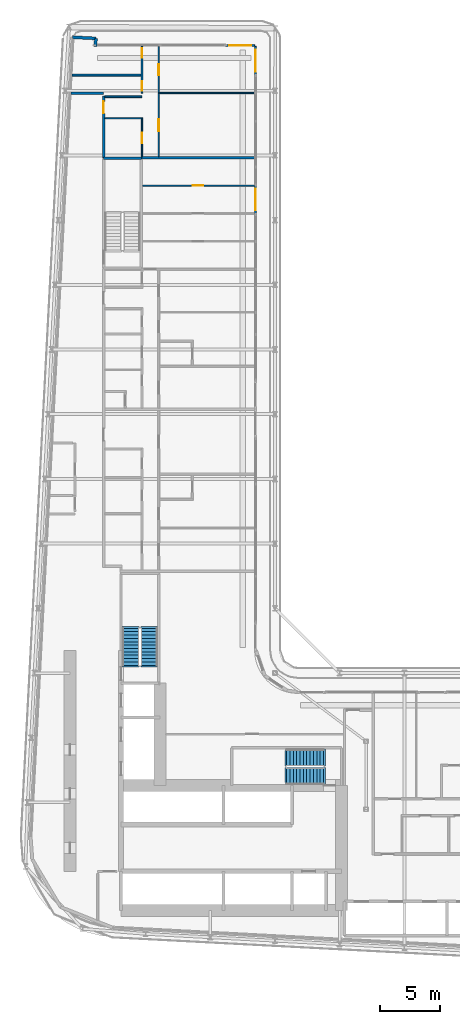
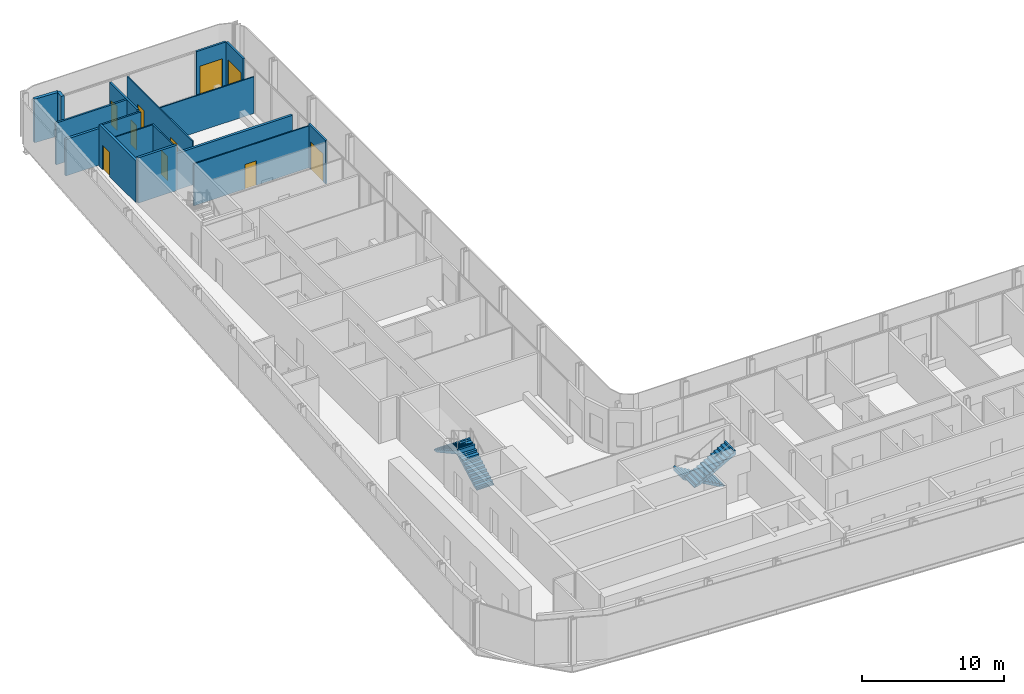
# One storey, part 19 of 27: 17 walls, 10 doors, 4 stair flights, 10 openings, 2 elements without a shape of their own.
"""IFC4 building model written with IfcOpenShell, lengths in metres."""

from ifc_helpers import new_model, si_unit, direction, frame, frame_2d, origin, place, context, subcontext, project, spatial, polyline, rectangle, outline, extrude, source, transform, mapped, material, layer, layer_set, type_object, element, fill, aggregate, save


model = new_model("IFC4")

# Units and contexts
model_context = context("Model", 3, precision=1e-05, world=origin(), true_north=direction((0.0, 1.0)))
body_context = subcontext(model_context, "Body", "Model", "MODEL_VIEW")
ifc_project = project(units=[si_unit("LENGTHUNIT", "METRE"), si_unit("AREAUNIT", "SQUARE_METRE"), si_unit("VOLUMEUNIT", "CUBIC_METRE"), si_unit("PLANEANGLEUNIT", "RADIAN"), si_unit("MASSUNIT", "GRAM", prefix="KILO")], contexts=[model_context])

# Site, building, storey
site_placement = place(None, origin())
site = spatial("IfcSite", under=ifc_project, at=site_placement, CompositionType="ELEMENT")
building_placement = place(site_placement, origin())
building = spatial("IfcBuilding", under=site, at=building_placement, Name="Kheshtan School and Residences Tower", CompositionType="ELEMENT")
storey_placement = place(building_placement, frame((0.0, 0.0, 57.800048828125)))
storey = spatial("IfcBuildingStorey", under=building, at=storey_placement, Name="L13", CompositionType="ELEMENT", Elevation=57.800048828125)

# Wall
ifc_material_1 = material(Name="Gypsum board on steel studs with fire boards", Category="steel")
ifc_layer_1 = layer(ifc_material_1, 0.199951171875)
ifc_layer_set_1 = layer_set([ifc_layer_1], Name="Corridor wall 200")
wall_type_1 = type_object("IfcWallType", Name="Corridor wall 200", PredefinedType="PARTITIONING", material=ifc_layer_set_1)
wall_1_placement = place(storey_placement, frame((30.584716796875, 94.0, 0.0), z_axis=(0.0, 0.0, 1.0), x_axis=(1.0, 0.0, 0.0)))
element("IfcWall", 1, at=wall_1_placement, inside=storey, type_object=wall_type_1, Name="Partition L13-002", PredefinedType="PARTITIONING", context=body_context, shape_type="SweptSolid", body=[
    extrude(rectangle(XDim=2.71533203125, YDim=0.199951171875, at=frame_2d((1.357666015625, 0.0))), origin(), (0.0, 0.0, 1.0), 3.14697265625),
])

# Wall, opening, door
wall_2_placement = place(storey_placement, frame((33.300048828125, 88.60009765625, 0.0), z_axis=(0.0, 0.0, 1.0), x_axis=(0.0, 1.0, 0.0)))
wall_2 = element("IfcWall", 2, at=wall_2_placement, inside=storey, type_object=wall_type_1, Name="Partition L13-004", PredefinedType="PARTITIONING", context=body_context, shape_type="SweptSolid", body=[
    extrude(rectangle(XDim=5.1748046875, YDim=0.199951171875, at=frame_2d((2.58740234375, 0.0))), origin(), (0.0, 0.0, 1.0), 3.599853515625),
])
opening_1_placement = place(wall_2_placement, frame((3.699951171875, 0.0, 0.0)))
opening_1 = element("IfcOpeningElement", 3, at=opening_1_placement, cuts=wall_2, Name="Opening D12-054", PredefinedType="OPENING", context=body_context, shape_type="SweptSolid", body=[
    extrude(rectangle(XDim=1.0, YDim=2.10009765625, at=frame_2d((0.5, 1.050048828125))), frame((0.0, 0.10986328125, 0.0), z_axis=(0.0, -1.0, 0.0), x_axis=(1.0, 0.0, 0.0)), (0.0, 0.0, 1.0), 0.219970703125),
])
ifc_material_2 = material(Name="Steel-framed fire-resisting door leaf", Category="steel")
door_type_1 = type_object("IfcDoorType", Name="Fire door FD30S 1000 x 2100", OperationType="SINGLE_SWING_LEFT", PredefinedType="DOOR", material=ifc_material_2)
shared_shape_1 = source(origin(), body_context, "Body", "SweptSolid", [
    extrude(rectangle(XDim=1.0, YDim=2.10009765625, at=frame_2d((0.5, 1.050048828125))), frame((0.0, 0.02490234375, 0.0), z_axis=(0.0, -1.0, 0.0), x_axis=(1.0, 0.0, 0.0)), (0.0, 0.0, 1.0), 0.050048828125),
])
door_1_placement = place(opening_1_placement, origin())
door_1 = element("IfcDoor", 4, at=door_1_placement, inside=storey, type_object=door_type_1, Name="Door D12-054", OperationType="SINGLE_SWING_RIGHT", OverallHeight=2.10009765625, OverallWidth=1.0, PredefinedType="DOOR", context=body_context, shape_type="MappedRepresentation", body=[
    mapped(shared_shape_1, transform((0.0, 0.0, 0.0), x_axis=(1.0, 0.0, 0.0), y_axis=(0.0, 1.0, 0.0), z_axis=(0.0, 0.0, 1.0), scale=1.0)),
])
fill(opening_1, door_1)

# Walls
ifc_material_3 = material(Name="Concrete C40/50 with ceramic cladding and mineral wool insulation", Category="concrete")
ifc_layer_2 = layer(ifc_material_3, 0.25)
ifc_layer_set_2 = layer_set([ifc_layer_2], Name="External wall 250 ceramic clad")
wall_type_2 = type_object("IfcWallType", Name="External wall 250 ceramic clad", PredefinedType="SOLIDWALL", material=ifc_layer_set_2)
wall_3_placement = place(storey_placement, frame((30.705078125, 98.6640625, 0.0), z_axis=(0.0, 0.0, 1.0), x_axis=(0.998577785791, -0.053314216913, 0.0)))
element("IfcWall", 5, at=wall_3_placement, inside=storey, type_object=wall_type_2, Name="External wall L13 5", PredefinedType="SOLIDWALL", context=body_context, shape_type="SweptSolid", body=[
    extrude(rectangle(XDim=1.95068359375, YDim=0.25, at=frame_2d((0.975341796875, 0.0))), origin(), (0.0, 0.0, 1.0), 3.75),
])
wall_4_placement = place(storey_placement, frame((32.653076171875, 98.56005859375, 0.0), z_axis=(0.0, 0.0, 1.0), x_axis=(-0.054093451632, -0.998535877418, 0.0)))
element("IfcWall", 6, at=wall_4_placement, inside=storey, type_object=wall_type_2, Name="External wall L13 6", PredefinedType="SOLIDWALL", context=body_context, shape_type="SweptSolid", body=[
    extrude(rectangle(XDim=0.66796875, YDim=0.25, at=frame_2d((0.333984375, 0.0))), origin(), (0.0, 0.0, 1.0), 3.75),
])

# Wall, opening, door
ifc_material_4 = material(Name="Aluminium frame wall with insulated infill", Category="aluminium")
ifc_layer_3 = layer(ifc_material_4, 0.14990234375)
ifc_layer_set_3 = layer_set([ifc_layer_3], Name="Glazing frame wall 150")
wall_type_3 = type_object("IfcWallType", Name="Glazing frame wall 150", PredefinedType="SOLIDWALL", material=ifc_layer_set_3)
wall_5_placement = place(storey_placement, frame((43.5, 97.97509765625, 0.0), z_axis=(0.0, 0.0, 1.0), x_axis=(1.0, 0.0, 0.0)))
wall_5 = element("IfcWall", 7, at=wall_5_placement, inside=storey, type_object=wall_type_3, Name="Balcony door wall L13 7.1", PredefinedType="SOLIDWALL", context=body_context, shape_type="SweptSolid", body=[
    extrude(rectangle(XDim=2.39990234375, YDim=0.14990234375, at=frame_2d((1.199951171875, 0.0))), origin(), (0.0, 0.0, 1.0), 3.75),
])
opening_2_placement = place(wall_5_placement, frame((0.300048828125, 0.0, 0.0)))
opening_2 = element("IfcOpeningElement", 8, at=opening_2_placement, cuts=wall_5, Name="Opening BD", PredefinedType="OPENING", context=body_context, shape_type="SweptSolid", body=[
    extrude(rectangle(XDim=1.800048828125, YDim=2.39990234375, at=frame_2d((0.89990234375, 1.199951171875))), frame((0.0, 0.0849609375, 0.0), z_axis=(0.0, -1.0, 0.0), x_axis=(1.0, 0.0, 0.0)), (0.0, 0.0, 1.0), 0.169921875),
])
ifc_material_5 = material(Name="Clear low-e glass in thermally broken aluminium frame", Category="aluminium")
door_type_2 = type_object("IfcDoorType", Name="Balcony sliding door", OperationType="SLIDING_TO_LEFT", PredefinedType="DOOR", material=ifc_material_5)
shared_shape_2 = source(origin(), body_context, "Body", "SweptSolid", [
    extrude(rectangle(XDim=1.800048828125, YDim=2.39990234375, at=frame_2d((0.89990234375, 1.199951171875))), frame((0.0, 0.02490234375, 0.0), z_axis=(0.0, -1.0, 0.0), x_axis=(1.0, 0.0, 0.0)), (0.0, 0.0, 1.0), 0.050048828125),
])
door_2_placement = place(opening_2_placement, origin())
door_2 = element("IfcDoor", 9, at=door_2_placement, inside=storey, type_object=door_type_2, Name="Balcony door L13 7.1", OperationType="SLIDING_TO_LEFT", OverallHeight=2.39990234375, OverallWidth=1.800048828125, PredefinedType="DOOR", context=body_context, shape_type="MappedRepresentation", body=[
    mapped(shared_shape_2, transform((0.0, 0.0, 0.0), x_axis=(1.0, 0.0, 0.0), y_axis=(0.0, 1.0, 0.0), z_axis=(0.0, 0.0, 1.0), scale=1.0)),
])
fill(opening_2, door_2)

wall_6_placement = place(storey_placement, frame((45.97509765625, 97.89990234375, 0.0), z_axis=(0.0, 0.0, 1.0), x_axis=(0.0, -1.0, 0.0)))
wall_6 = element("IfcWall", 10, at=wall_6_placement, inside=storey, type_object=wall_type_3, Name="Balcony door wall L13 8.1", PredefinedType="SOLIDWALL", context=body_context, shape_type="SweptSolid", body=[
    extrude(rectangle(XDim=2.39990234375, YDim=0.14990234375, at=frame_2d((1.199951171875, 0.0))), origin(), (0.0, 0.0, 1.0), 3.75),
])
opening_3_placement = place(wall_6_placement, frame((0.300048828125, 0.0, 0.0)))
opening_3 = element("IfcOpeningElement", 11, at=opening_3_placement, cuts=wall_6, Name="Opening BD", PredefinedType="OPENING", context=body_context, shape_type="SweptSolid", body=[
    extrude(rectangle(XDim=1.800048828125, YDim=2.39990234375, at=frame_2d((0.89990234375, 1.199951171875))), frame((0.0, 0.0849609375, 0.0), z_axis=(0.0, -1.0, 0.0), x_axis=(1.0, 0.0, 0.0)), (0.0, 0.0, 1.0), 0.169921875),
])
door_3_placement = place(opening_3_placement, origin())
door_3 = element("IfcDoor", 12, at=door_3_placement, inside=storey, type_object=door_type_2, Name="Balcony door L13 8.1", OperationType="SLIDING_TO_LEFT", OverallHeight=2.39990234375, OverallWidth=1.800048828125, PredefinedType="DOOR", context=body_context, shape_type="MappedRepresentation", body=[
    mapped(shared_shape_2, transform((0.0, 0.0, 0.0), x_axis=(1.0, 0.0, 0.0), y_axis=(0.0, 1.0, 0.0), z_axis=(0.0, 0.0, 1.0), scale=1.0)),
])
fill(opening_3, door_3)

wall_7_placement = place(storey_placement, frame((45.97509765625, 86.305908203125, 0.0), z_axis=(0.0, 0.0, 1.0), x_axis=(0.0, -1.0, 0.0)))
wall_7 = element("IfcWall", 13, at=wall_7_placement, inside=storey, type_object=wall_type_3, Name="Balcony door wall L13 8.2", PredefinedType="SOLIDWALL", context=body_context, shape_type="SweptSolid", body=[
    extrude(rectangle(XDim=2.39990234375, YDim=0.14990234375, at=frame_2d((1.199951171875, 0.0))), origin(), (0.0, 0.0, 1.0), 3.75),
])
opening_4_placement = place(wall_7_placement, frame((0.300048828125, 0.0, 0.0)))
opening_4 = element("IfcOpeningElement", 14, at=opening_4_placement, cuts=wall_7, Name="Opening BD", PredefinedType="OPENING", context=body_context, shape_type="SweptSolid", body=[
    extrude(rectangle(XDim=1.800048828125, YDim=2.39990234375, at=frame_2d((0.89990234375, 1.199951171875))), frame((0.0, 0.0849609375, 0.0), z_axis=(0.0, -1.0, 0.0), x_axis=(1.0, 0.0, 0.0)), (0.0, 0.0, 1.0), 0.169921875),
])
door_4_placement = place(opening_4_placement, origin())
door_4 = element("IfcDoor", 15, at=door_4_placement, inside=storey, type_object=door_type_2, Name="Balcony door L13 8.2", OperationType="SLIDING_TO_LEFT", OverallHeight=2.39990234375, OverallWidth=1.800048828125, PredefinedType="DOOR", context=body_context, shape_type="MappedRepresentation", body=[
    mapped(shared_shape_2, transform((0.0, 0.0, 0.0), x_axis=(1.0, 0.0, 0.0), y_axis=(0.0, 1.0, 0.0), z_axis=(0.0, 0.0, 1.0), scale=1.0)),
])
fill(opening_4, door_4)

# Wall
ifc_material_6 = material(Name="Gypsum board on steel studs", Category="steel")
ifc_layer_4 = layer(ifc_material_6, 0.10009765625)
ifc_layer_set_4 = layer_set([ifc_layer_4], Name="Gypsum partition 100")
wall_type_4 = type_object("IfcWallType", Name="Gypsum partition 100", PredefinedType="PARTITIONING", material=ifc_layer_set_4)
wall_8_placement = place(storey_placement, frame((33.39990234375, 91.89990234375, 0.0), z_axis=(0.0, 0.0, 1.0), x_axis=(1.0, 0.0, 0.0)))
element("IfcWall", 16, at=wall_8_placement, inside=storey, type_object=wall_type_4, Name="Partition L13-016", PredefinedType="PARTITIONING", context=body_context, shape_type="SweptSolid", body=[
    extrude(rectangle(XDim=3.050048828125, YDim=0.10009765625, at=frame_2d((1.52490234375, 0.0))), origin(), (0.0, 0.0, 1.0), 3.599853515625),
])

# Wall, opening, door
wall_9_placement = place(storey_placement, frame((36.5, 88.699951171875, 0.0), z_axis=(0.0, 0.0, 1.0), x_axis=(0.0, 1.0, 0.0)))
wall_9 = element("IfcWall", 17, at=wall_9_placement, inside=storey, type_object=wall_type_4, Name="Partition L13-025", PredefinedType="PARTITIONING", context=body_context, shape_type="SweptSolid", body=[
    extrude(rectangle(XDim=3.25, YDim=0.10009765625, at=frame_2d((1.625, 0.0))), origin(), (0.0, 0.0, 1.0), 3.599853515625),
])
opening_5_placement = place(wall_9_placement, frame((1.10009765625, 0.0, 0.0)))
opening_5 = element("IfcOpeningElement", 18, at=opening_5_placement, cuts=wall_9, Name="Opening D12-055", PredefinedType="OPENING", context=body_context, shape_type="SweptSolid", body=[
    extrude(rectangle(XDim=0.89990234375, YDim=2.10009765625, at=frame_2d((0.449951171875, 1.050048828125))), frame((0.0, 0.06005859375, 0.0), z_axis=(0.0, -1.0, 0.0), x_axis=(1.0, 0.0, 0.0)), (0.0, 0.0, 1.0), 0.1201171875),
])
ifc_material_7 = material(Name="Veneered timber door leaf", Category="wood")
door_type_3 = type_object("IfcDoorType", Name="Door 900 x 2100", OperationType="SINGLE_SWING_LEFT", PredefinedType="DOOR", material=ifc_material_7)
shared_shape_3 = source(origin(), body_context, "Body", "SweptSolid", [
    extrude(rectangle(XDim=0.89990234375, YDim=2.10009765625, at=frame_2d((0.449951171875, 1.050048828125))), frame((0.0, 0.02490234375, 0.0), z_axis=(0.0, -1.0, 0.0), x_axis=(1.0, 0.0, 0.0)), (0.0, 0.0, 1.0), 0.050048828125),
])
door_5_placement = place(opening_5_placement, origin())
door_5 = element("IfcDoor", 19, at=door_5_placement, inside=storey, type_object=door_type_3, Name="Door D12-055", OperationType="SINGLE_SWING_LEFT", OverallHeight=2.10009765625, OverallWidth=0.89990234375, PredefinedType="DOOR", context=body_context, shape_type="MappedRepresentation", body=[
    mapped(shared_shape_3, transform((0.0, 0.0, 0.0), x_axis=(1.0, 0.0, 0.0), y_axis=(0.0, 1.0, 0.0), z_axis=(0.0, 0.0, 1.0), scale=1.0)),
])
fill(opening_5, door_5)

wall_10_placement = place(storey_placement, frame((36.549072265625, 86.27490234375, 0.0), z_axis=(0.0, 0.0, 1.0), x_axis=(1.0, 0.0, 0.0)))
wall_10 = element("IfcWall", 20, at=wall_10_placement, inside=storey, type_object=wall_type_4, Name="Partition L13-029", PredefinedType="PARTITIONING", context=body_context, shape_type="SweptSolid", body=[
    extrude(rectangle(XDim=9.350830078125, YDim=0.10009765625, at=frame_2d((4.67529296875, 0.0))), origin(), (0.0, 0.0, 1.0), 3.599853515625),
])
opening_6_placement = place(wall_10_placement, frame((4.176025390625, 0.0, 0.0)))
opening_6 = element("IfcOpeningElement", 21, at=opening_6_placement, cuts=wall_10, Name="Opening D12-051", PredefinedType="OPENING", context=body_context, shape_type="SweptSolid", body=[
    extrude(rectangle(XDim=0.89990234375, YDim=2.10009765625, at=frame_2d((0.449951171875, 1.050048828125))), frame((0.0, 0.06005859375, 0.0), z_axis=(0.0, -1.0, 0.0), x_axis=(1.0, 0.0, 0.0)), (0.0, 0.0, 1.0), 0.1201171875),
])
door_6_placement = place(opening_6_placement, origin())
door_6 = element("IfcDoor", 22, at=door_6_placement, inside=storey, type_object=door_type_3, Name="Door D12-051", OperationType="SINGLE_SWING_RIGHT", OverallHeight=2.10009765625, OverallWidth=0.89990234375, PredefinedType="DOOR", context=body_context, shape_type="MappedRepresentation", body=[
    mapped(shared_shape_3, transform((0.0, 0.0, 0.0), x_axis=(1.0, 0.0, 0.0), y_axis=(0.0, 1.0, 0.0), z_axis=(0.0, 0.0, 1.0), scale=1.0)),
])
fill(opening_6, door_6)

# Wall, openings, doors
wall_11_placement = place(storey_placement, frame((37.89990234375, 88.699951171875, 0.0), z_axis=(0.0, 0.0, 1.0), x_axis=(0.0, 1.0, 0.0)))
wall_11 = element("IfcWall", 23, at=wall_11_placement, inside=storey, type_object=wall_type_4, Name="Partition L13-032", PredefinedType="PARTITIONING", context=body_context, shape_type="SweptSolid", body=[
    extrude(rectangle(XDim=9.199951171875, YDim=0.10009765625, at=frame_2d((4.60009765625, 0.0))), origin(), (0.0, 0.0, 1.0), 3.599853515625),
])
opening_7_placement = place(wall_11_placement, frame((6.800048828125, 0.0, 0.0)))
opening_7 = element("IfcOpeningElement", 24, at=opening_7_placement, cuts=wall_11, Name="Opening D12-053", PredefinedType="OPENING", context=body_context, shape_type="SweptSolid", body=[
    extrude(rectangle(XDim=0.89990234375, YDim=2.10009765625, at=frame_2d((0.449951171875, 1.050048828125))), frame((0.0, 0.06005859375, 0.0), z_axis=(0.0, -1.0, 0.0), x_axis=(1.0, 0.0, 0.0)), (0.0, 0.0, 1.0), 0.1201171875),
])
opening_8_placement = place(wall_11_placement, frame((2.10009765625, 0.0, 0.0)))
opening_8 = element("IfcOpeningElement", 25, at=opening_8_placement, cuts=wall_11, Name="Opening D12-056", PredefinedType="OPENING", context=body_context, shape_type="SweptSolid", body=[
    extrude(rectangle(XDim=1.0, YDim=2.10009765625, at=frame_2d((0.5, 1.050048828125))), frame((0.0, 0.06005859375, 0.0), z_axis=(0.0, -1.0, 0.0), x_axis=(1.0, 0.0, 0.0)), (0.0, 0.0, 1.0), 0.1201171875),
])
door_type_4 = type_object("IfcDoorType", Name="Door 1000 x 2100", OperationType="SINGLE_SWING_LEFT", PredefinedType="DOOR", material=ifc_material_7)
shared_shape_4 = source(origin(), body_context, "Body", "SweptSolid", [
    extrude(rectangle(XDim=1.0, YDim=2.10009765625, at=frame_2d((0.5, 1.050048828125))), frame((0.0, 0.02490234375, 0.0), z_axis=(0.0, -1.0, 0.0), x_axis=(1.0, 0.0, 0.0)), (0.0, 0.0, 1.0), 0.050048828125),
])
door_7_placement = place(opening_8_placement, origin())
door_7 = element("IfcDoor", 26, at=door_7_placement, inside=storey, type_object=door_type_4, Name="Door D12-056", OperationType="SINGLE_SWING_LEFT", OverallHeight=2.10009765625, OverallWidth=1.0, PredefinedType="DOOR", context=body_context, shape_type="MappedRepresentation", body=[
    mapped(shared_shape_4, transform((0.0, 0.0, 0.0), x_axis=(1.0, 0.0, 0.0), y_axis=(0.0, 1.0, 0.0), z_axis=(0.0, 0.0, 1.0), scale=1.0)),
])
fill(opening_8, door_7)
door_8_placement = place(opening_7_placement, origin())
door_8 = element("IfcDoor", 27, at=door_8_placement, inside=storey, type_object=door_type_3, Name="Door D12-053", OperationType="SINGLE_SWING_RIGHT", OverallHeight=2.10009765625, OverallWidth=0.89990234375, PredefinedType="DOOR", context=body_context, shape_type="MappedRepresentation", body=[
    mapped(shared_shape_3, transform((0.0, 0.0, 0.0), x_axis=(1.0, 0.0, 0.0), y_axis=(0.0, 1.0, 0.0), z_axis=(0.0, 0.0, 1.0), scale=1.0)),
])
fill(opening_7, door_8)

# Walls
wall_12_placement = place(storey_placement, frame((37.949951171875, 94.0, 0.0), z_axis=(0.0, 0.0, 1.0), x_axis=(1.0, 0.0, 0.0)))
element("IfcWall", 28, at=wall_12_placement, inside=storey, type_object=wall_type_4, Name="Partition L13-033", PredefinedType="PARTITIONING", context=body_context, shape_type="SweptSolid", body=[
    extrude(rectangle(XDim=7.949951171875, YDim=0.10009765625, at=frame_2d((3.97509765625, 0.0))), origin(), (0.0, 0.0, 1.0), 3.14697265625),
])
ifc_material_8 = material(Name="Concrete C40/50", Category="concrete")
ifc_layer_5 = layer(ifc_material_8, 0.199951171875)
ifc_layer_set_5 = layer_set([ifc_layer_5], Name="Stair enclosure wall 200 Concrete C40/50")
wall_type_5 = type_object("IfcWallType", Name="Stair enclosure wall 200 Concrete C40/50", PredefinedType="SHEAR", material=ifc_layer_set_5)
wall_13_placement = place(storey_placement, frame((33.300048828125, 88.56005859375, 0.0), z_axis=(0.0, 0.0, 1.0), x_axis=(1.0, 0.0, 0.0)))
element("IfcWall", 29, at=wall_13_placement, inside=storey, type_object=wall_type_5, Name="Stair enclosure wall ST3", PredefinedType="SHEAR", context=body_context, shape_type="SweptSolid", body=[
    extrude(rectangle(XDim=3.14990234375, YDim=0.199951171875, at=frame_2d((1.574951171875, 0.0))), origin(), (0.0, 0.0, 1.0), 3.89990234375),
])
ifc_material_9 = material(Name="Twin gypsum board on steel studs with mineral wool", Category="steel")
ifc_layer_6 = layer(ifc_material_9, 0.199951171875)
ifc_layer_set_6 = layer_set([ifc_layer_6], Name="Unit demising wall 200")
wall_type_6 = type_object("IfcWallType", Name="Unit demising wall 200", PredefinedType="PARTITIONING", material=ifc_layer_set_6)
wall_14_placement = place(storey_placement, frame((36.449951171875, 88.60009765625, 0.0), z_axis=(0.0, 0.0, 1.0), x_axis=(1.0, 0.0, 0.0)))
element("IfcWall", 30, at=wall_14_placement, inside=storey, type_object=wall_type_6, Name="Partition L13-021", PredefinedType="PARTITIONING", context=body_context, shape_type="SweptSolid", body=[
    extrude(rectangle(XDim=9.449951171875, YDim=0.199951171875, at=frame_2d((4.72509765625, 0.0))), origin(), (0.0, 0.0, 1.0), 3.14697265625),
])
ifc_material_10 = material(Name="Moisture-resistant gypsum board on steel studs", Category="steel")
ifc_layer_7 = layer(ifc_material_10, 0.14990234375)
ifc_layer_set_7 = layer_set([ifc_layer_7], Name="Wet-room partition 150")
wall_type_7 = type_object("IfcWallType", Name="Wet-room partition 150", PredefinedType="PARTITIONING", material=ifc_layer_set_7)
wall_15_placement = place(storey_placement, frame((30.6640625, 95.5, 0.0), z_axis=(0.0, 0.0, 1.0), x_axis=(1.0, 0.0, 0.0)))
element("IfcWall", 31, at=wall_15_placement, inside=storey, type_object=wall_type_7, Name="Partition L13-001", PredefinedType="PARTITIONING", context=body_context, shape_type="SweptSolid", body=[
    extrude(rectangle(XDim=5.760986328125, YDim=0.14990234375, at=frame_2d((2.88037109375, 0.0))), origin(), (0.0, 0.0, 1.0), 3.599853515625),
])
wall_16_placement = place(storey_placement, frame((33.39990234375, 93.699951171875, 0.0), z_axis=(0.0, 0.0, 1.0), x_axis=(1.0, 0.0, 0.0)))
element("IfcWall", 32, at=wall_16_placement, inside=storey, type_object=wall_type_7, Name="Partition L13-017", PredefinedType="PARTITIONING", context=body_context, shape_type="SweptSolid", body=[
    extrude(rectangle(XDim=3.10009765625, YDim=0.14990234375, at=frame_2d((1.550048828125, 0.0))), origin(), (0.0, 0.0, 1.0), 3.599853515625),
])

# Wall, openings, doors
wall_17_placement = place(storey_placement, frame((36.5, 94.0, 0.0), z_axis=(0.0, 0.0, 1.0), x_axis=(0.0, 1.0, 0.0)))
wall_17 = element("IfcWall", 33, at=wall_17_placement, inside=storey, type_object=wall_type_7, Name="Partition L13-026", PredefinedType="PARTITIONING", context=body_context, shape_type="SweptSolid", body=[
    extrude(rectangle(XDim=3.89990234375, YDim=0.14990234375, at=frame_2d((1.949951171875, 0.0))), origin(), (0.0, 0.0, 1.0), 3.599853515625),
])
opening_9_placement = place(wall_17_placement, frame((2.949951171875, 0.0, 0.0)))
opening_9 = element("IfcOpeningElement", 34, at=opening_9_placement, cuts=wall_17, Name="Opening D12-052", PredefinedType="OPENING", context=body_context, shape_type="SweptSolid", body=[
    extrude(rectangle(XDim=0.800048828125, YDim=2.10009765625, at=frame_2d((0.39990234375, 1.050048828125))), frame((0.0, 0.0849609375, 0.0), z_axis=(0.0, -1.0, 0.0), x_axis=(1.0, 0.0, 0.0)), (0.0, 0.0, 1.0), 0.169921875),
])
opening_10_placement = place(wall_17_placement, frame((0.199951171875, 0.0, 0.0)))
opening_10 = element("IfcOpeningElement", 35, at=opening_10_placement, cuts=wall_17, Name="Opening D12-057", PredefinedType="OPENING", context=body_context, shape_type="SweptSolid", body=[
    extrude(rectangle(XDim=0.800048828125, YDim=2.10009765625, at=frame_2d((0.39990234375, 1.050048828125))), frame((0.0, 0.0849609375, 0.0), z_axis=(0.0, -1.0, 0.0), x_axis=(1.0, 0.0, 0.0)), (0.0, 0.0, 1.0), 0.169921875),
])
door_type_5 = type_object("IfcDoorType", Name="Door 800 x 2100", OperationType="SINGLE_SWING_LEFT", PredefinedType="DOOR", material=ifc_material_7)
shared_shape_5 = source(origin(), body_context, "Body", "SweptSolid", [
    extrude(rectangle(XDim=0.800048828125, YDim=2.10009765625, at=frame_2d((0.39990234375, 1.050048828125))), frame((0.0, 0.02490234375, 0.0), z_axis=(0.0, -1.0, 0.0), x_axis=(1.0, 0.0, 0.0)), (0.0, 0.0, 1.0), 0.050048828125),
])
door_9_placement = place(opening_9_placement, origin())
door_9 = element("IfcDoor", 36, at=door_9_placement, inside=storey, type_object=door_type_5, Name="Door D12-052", OperationType="SINGLE_SWING_LEFT", OverallHeight=2.10009765625, OverallWidth=0.800048828125, PredefinedType="DOOR", context=body_context, shape_type="MappedRepresentation", body=[
    mapped(shared_shape_5, transform((0.0, 0.0, 0.0), x_axis=(1.0, 0.0, 0.0), y_axis=(0.0, 1.0, 0.0), z_axis=(0.0, 0.0, 1.0), scale=1.0)),
])
fill(opening_9, door_9)
door_10_placement = place(opening_10_placement, origin())
door_10 = element("IfcDoor", 37, at=door_10_placement, inside=storey, type_object=door_type_5, Name="Door D12-057", OperationType="SINGLE_SWING_RIGHT", OverallHeight=2.10009765625, OverallWidth=0.800048828125, PredefinedType="DOOR", context=body_context, shape_type="MappedRepresentation", body=[
    mapped(shared_shape_5, transform((0.0, 0.0, 0.0), x_axis=(1.0, 0.0, 0.0), y_axis=(0.0, 1.0, 0.0), z_axis=(0.0, 0.0, 1.0), scale=1.0)),
])
fill(opening_10, door_10)

# Stair, stair flights
stair_type = type_object("IfcStairType", Name="Exit stair, half-turn", PredefinedType="HALF_TURN_STAIR", material=ifc_material_8)
stair_1_placement = place(storey_placement, origin())
stair_1 = element("IfcStair", 38, at=stair_1_placement, inside=storey, type_object=stair_type, Name="L13 Protected Exit Stair ST1", PredefinedType="HALF_TURN_STAIR")
ifc_layer_8 = layer(ifc_material_8, 0.14990234375)
ifc_layer_set_8 = layer_set([ifc_layer_8], Name="Stair flight 1400 Concrete C40/50")
stair_flight_type = type_object("IfcStairFlightType", Name="Stair flight 1400 Concrete C40/50", PredefinedType="STRAIGHT", material=ifc_layer_set_8)
stair_flight_1_placement = place(storey_placement, frame((51.64990234375, 38.550048828125, 0.0), z_axis=(0.0, 0.0, 1.0), x_axis=(-1.0, 0.0, 0.0)))
stair_flight_1 = element("IfcStairFlight", 39, at=stair_flight_1_placement, type_object=stair_flight_type, Name="ST1 flight 1", NumberOfRisers=12, NumberOfTreads=11, PredefinedType="STRAIGHT", RiserHeight=0.1625, TreadLength=0.28, context=body_context, shape_type="SweptSolid", body=[
    extrude(outline(polyline([(-0.14990234375, -0.10009765625), (-0.14990234375, 0.0), (0.0, 0.0), (0.0, 0.16259765625), (0.280029296875, 0.16259765625), (0.280029296875, 0.324951171875), (0.56005859375, 0.324951171875), (0.56005859375, 0.487548828125), (0.840087890625, 0.487548828125), (0.840087890625, 0.64990234375), (1.1201171875, 0.64990234375), (1.1201171875, 0.8125), (1.39990234375, 0.8125), (1.39990234375, 0.97509765625), (1.679931640625, 0.97509765625), (1.679931640625, 1.137451171875), (1.9599609375, 1.137451171875), (1.9599609375, 1.300048828125), (2.239990234375, 1.300048828125), (2.239990234375, 1.46240234375), (2.52001953125, 1.46240234375), (2.52001953125, 1.625), (2.800048828125, 1.625), (2.800048828125, 1.78759765625), (3.080078125, 1.78759765625), (3.080078125, 1.949951171875), (3.080078125, 1.969970703125), (3.22998046875, 1.969970703125), (3.22998046875, 1.6142578125), (0.298583984375, 0.0), (-0.14990234375, -0.10009765625)])), frame((0.0, 0.699951171875, 0.0), z_axis=(0.0, -1.0, 0.0), x_axis=(1.0, 0.0, 0.0)), (0.0, 0.0, 1.0), 1.39990234375),
])
stair_flight_2_placement = place(storey_placement, frame((48.570068359375, 37.0, 1.949951171875), z_axis=(0.0, 0.0, 1.0), x_axis=(1.0, 0.0, 0.0)))
stair_flight_2 = element("IfcStairFlight", 40, at=stair_flight_2_placement, type_object=stair_flight_type, Name="ST1 flight 2", NumberOfRisers=12, NumberOfTreads=11, PredefinedType="STRAIGHT", RiserHeight=0.1625, TreadLength=0.28, context=body_context, shape_type="SweptSolid", body=[
    extrude(outline(polyline([(-0.14990234375, -0.10009765625), (-0.14990234375, 0.0), (0.0, 0.0), (0.0, 0.16259765625), (0.280029296875, 0.16259765625), (0.280029296875, 0.324951171875), (0.56005859375, 0.324951171875), (0.56005859375, 0.487548828125), (0.840087890625, 0.487548828125), (0.840087890625, 0.64990234375), (1.1201171875, 0.64990234375), (1.1201171875, 0.8125), (1.39990234375, 0.8125), (1.39990234375, 0.97509765625), (1.679931640625, 0.97509765625), (1.679931640625, 1.137451171875), (1.9599609375, 1.137451171875), (1.9599609375, 1.300048828125), (2.239990234375, 1.300048828125), (2.239990234375, 1.46240234375), (2.52001953125, 1.46240234375), (2.52001953125, 1.625), (2.800048828125, 1.625), (2.800048828125, 1.78759765625), (3.080078125, 1.78759765625), (3.080078125, 1.949951171875), (3.080078125, 1.969970703125), (3.22998046875, 1.969970703125), (3.22998046875, 1.6142578125), (0.298583984375, 0.0), (-0.14990234375, -0.10009765625)])), frame((0.0, 0.699951171875, 0.0), z_axis=(0.0, -1.0, 0.0), x_axis=(1.0, 0.0, 0.0)), (0.0, 0.0, 1.0), 1.39990234375),
])
aggregate(stair_1, [stair_flight_1, stair_flight_2])

stair_2_placement = place(storey_placement, origin())
stair_2 = element("IfcStair", 41, at=stair_2_placement, inside=storey, type_object=stair_type, Name="L13 Protected Exit Stair ST2", PredefinedType="HALF_TURN_STAIR")
stair_flight_3_placement = place(storey_placement, frame((37.10009765625, 46.25, 0.0), z_axis=(0.0, 0.0, 1.0), x_axis=(0.0, 1.0, 0.0)))
stair_flight_3 = element("IfcStairFlight", 42, at=stair_flight_3_placement, type_object=stair_flight_type, Name="ST2 flight 1", NumberOfRisers=12, NumberOfTreads=11, PredefinedType="STRAIGHT", RiserHeight=0.1625, TreadLength=0.28, context=body_context, shape_type="SweptSolid", body=[
    extrude(outline(polyline([(-0.14990234375, -0.10009765625), (-0.14990234375, 0.0), (0.0, 0.0), (0.0, 0.16259765625), (0.280029296875, 0.16259765625), (0.280029296875, 0.324951171875), (0.56005859375, 0.324951171875), (0.56005859375, 0.487548828125), (0.840087890625, 0.487548828125), (0.840087890625, 0.64990234375), (1.1201171875, 0.64990234375), (1.1201171875, 0.8125), (1.39990234375, 0.8125), (1.39990234375, 0.97509765625), (1.679931640625, 0.97509765625), (1.679931640625, 1.137451171875), (1.9599609375, 1.137451171875), (1.9599609375, 1.300048828125), (2.239990234375, 1.300048828125), (2.239990234375, 1.46240234375), (2.52001953125, 1.46240234375), (2.52001953125, 1.625), (2.800048828125, 1.625), (2.800048828125, 1.78759765625), (3.080078125, 1.78759765625), (3.080078125, 1.949951171875), (3.080078125, 1.969970703125), (3.22998046875, 1.969970703125), (3.22998046875, 1.6142578125), (0.298583984375, 0.0), (-0.14990234375, -0.10009765625)])), frame((0.0, 0.699951171875, 0.0), z_axis=(0.0, -1.0, 0.0), x_axis=(1.0, 0.0, 0.0)), (0.0, 0.0, 1.0), 1.39990234375),
])
stair_flight_4_placement = place(storey_placement, frame((35.550048828125, 49.330078125, 1.949951171875), z_axis=(0.0, 0.0, 1.0), x_axis=(0.0, -1.0, 0.0)))
stair_flight_4 = element("IfcStairFlight", 43, at=stair_flight_4_placement, type_object=stair_flight_type, Name="ST2 flight 2", NumberOfRisers=12, NumberOfTreads=11, PredefinedType="STRAIGHT", RiserHeight=0.1625, TreadLength=0.28, context=body_context, shape_type="SweptSolid", body=[
    extrude(outline(polyline([(-0.14990234375, -0.10009765625), (-0.14990234375, 0.0), (0.0, 0.0), (0.0, 0.16259765625), (0.280029296875, 0.16259765625), (0.280029296875, 0.324951171875), (0.56005859375, 0.324951171875), (0.56005859375, 0.487548828125), (0.840087890625, 0.487548828125), (0.840087890625, 0.64990234375), (1.1201171875, 0.64990234375), (1.1201171875, 0.8125), (1.39990234375, 0.8125), (1.39990234375, 0.97509765625), (1.679931640625, 0.97509765625), (1.679931640625, 1.137451171875), (1.9599609375, 1.137451171875), (1.9599609375, 1.300048828125), (2.239990234375, 1.300048828125), (2.239990234375, 1.46240234375), (2.52001953125, 1.46240234375), (2.52001953125, 1.625), (2.800048828125, 1.625), (2.800048828125, 1.78759765625), (3.080078125, 1.78759765625), (3.080078125, 1.949951171875), (3.080078125, 1.969970703125), (3.22998046875, 1.969970703125), (3.22998046875, 1.6142578125), (0.298583984375, 0.0), (-0.14990234375, -0.10009765625)])), frame((0.0, 0.699951171875, 0.0), z_axis=(0.0, -1.0, 0.0), x_axis=(1.0, 0.0, 0.0)), (0.0, 0.0, 1.0), 1.39990234375),
])
aggregate(stair_2, [stair_flight_3, stair_flight_4])

save(model, "model.ifc")
